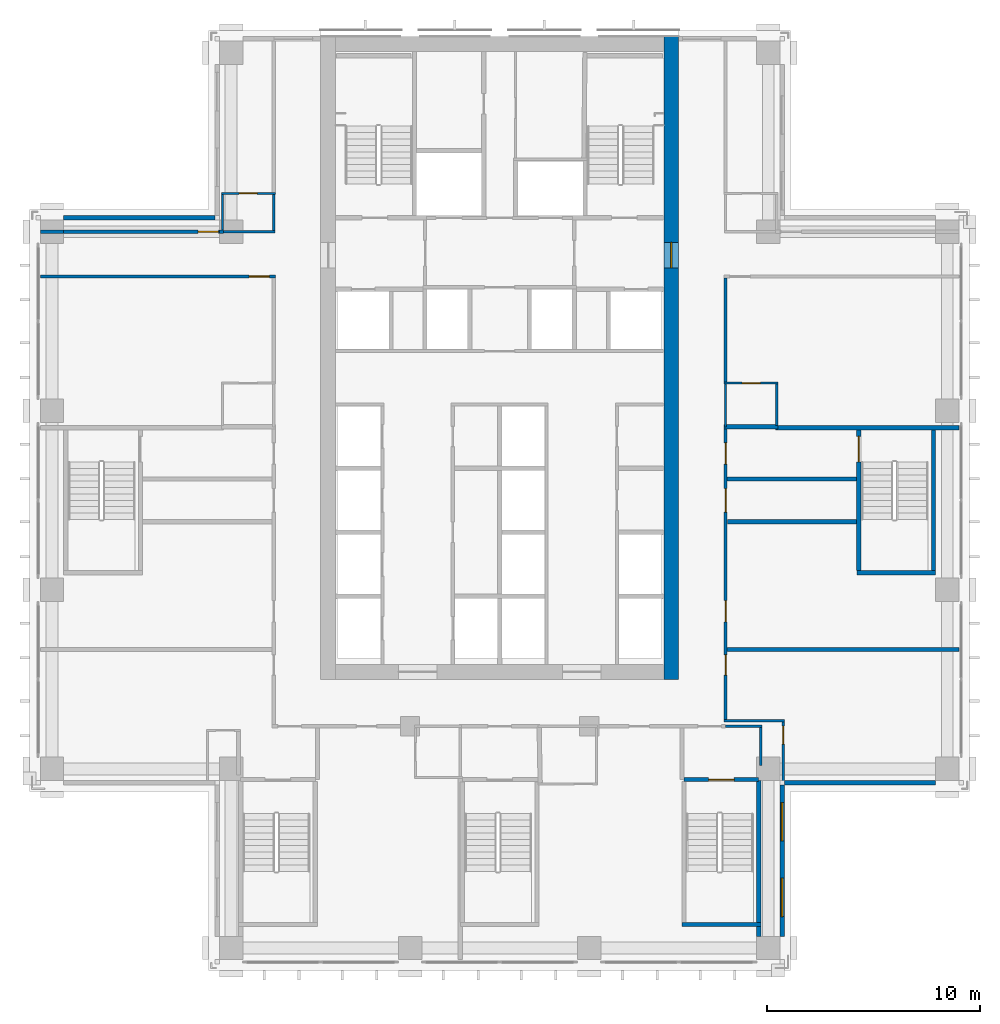
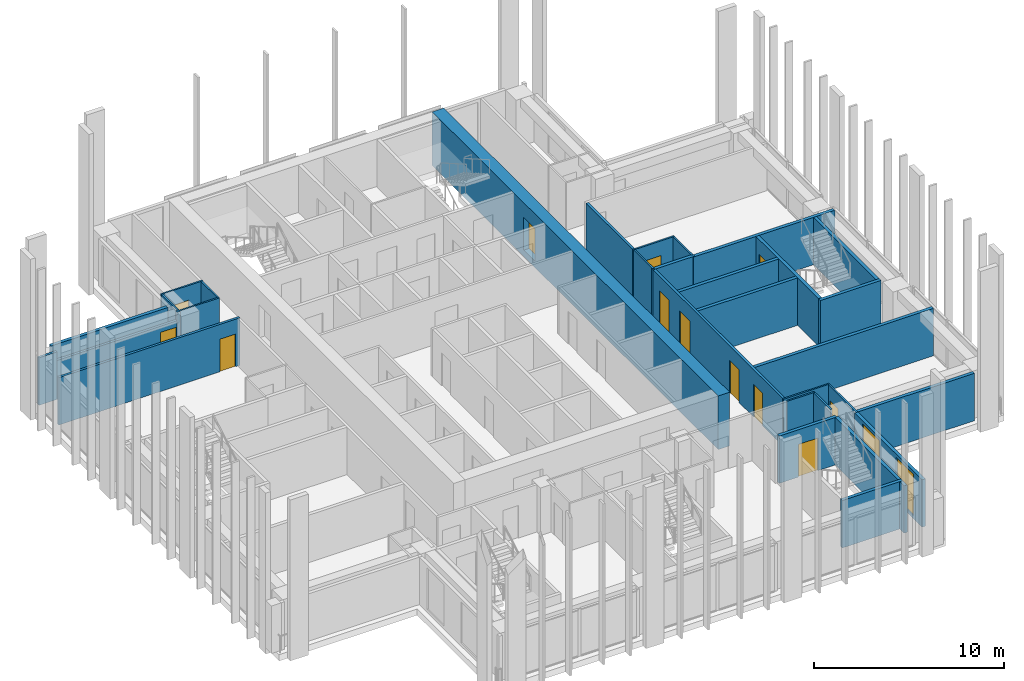
# One storey, part 11 of 16: 32 walls, 12 doors, 2 windows, 14 openings.
"""IFC4 building model written with IfcOpenShell, lengths in metres."""

import ifcopenshell
import ifcopenshell.guid

model = None  # the IFC model being written
_history = None  # IfcOwnerHistory: only IFC2X3 demands one
_inside = {}  # id of a spatial element -> (the spatial element, [elements in it])
_under = {}  # id of a project, library or spatial element -> (it, [spatial elements below it])
_declared = {}  # id of a project -> (the project, [libraries it declares])
_typed = {}  # id of a type object -> (the type object, [elements of that type])
_made_of = {}  # id of a material, layer set ... -> (it, [elements and type objects made of it])


def new_model(schema):
    """Start an empty IFC model of exactly this schema.

    Asked for "IFC4X3", IfcOpenShell would pick the latest addendum, in which some entities
    have other attributes; the version numbers below select the first issue.
    IFC2X3 requires an IfcOwnerHistory on every rooted entity: one is made here for all.
    """
    global model, _history
    if schema == "IFC4X3":
        model = ifcopenshell.file(schema_version=(4, 3, 0, 0))
    else:
        model = ifcopenshell.file(schema=schema)
    _inside.clear()
    _under.clear()
    _declared.clear()
    _typed.clear()
    _made_of.clear()
    _history = None
    if model.schema == "IFC2X3":
        org = make("IfcOrganization", Name="unknown")
        user = make(
            "IfcPersonAndOrganization",
            ThePerson=make("IfcPerson", FamilyName="unknown"),
            TheOrganization=org,
        )
        app = make(
            "IfcApplication",
            ApplicationDeveloper=org,
            Version="unknown",
            ApplicationFullName="unknown",
            ApplicationIdentifier="unknown",
        )
        _history = make(
            "IfcOwnerHistory",
            OwningUser=user,
            OwningApplication=app,
            ChangeAction="ADDED",
            CreationDate=0,
        )
    return model


def make(cls, **values):
    """One entity of the class cls with the attributes given. An attribute that is None is left unset."""
    return model.create_entity(
        cls, **{name: value for name, value in values.items() if value is not None}
    )


def rooted(cls, **values):
    """An entity with a GlobalId (a new one), such as an element, a storey or a relation."""
    return make(cls, GlobalId=ifcopenshell.guid.new(), OwnerHistory=_history, **values)


def si_unit(unit_type, name, prefix=None):
    """IfcSIUnit, for example si_unit("LENGTHUNIT", "METRE", prefix="MILLI")."""
    return make("IfcSIUnit", UnitType=unit_type, Prefix=prefix, Name=name)


def assignment(units):
    """IfcUnitAssignment: the units of a project."""
    return None if units is None else make("IfcUnitAssignment", Units=units)


def point(xyz):
    """IfcCartesianPoint."""
    return None if xyz is None else make("IfcCartesianPoint", Coordinates=xyz)


def direction(xyz):
    """IfcDirection."""
    return None if xyz is None else make("IfcDirection", DirectionRatios=xyz)


def frame(location, z_axis=None, x_axis=None):
    """IfcAxis2Placement3D, a coordinate frame: its origin and axes. An axis left out is left unset."""
    return make(
        "IfcAxis2Placement3D",
        Location=point(location),
        Axis=direction(z_axis),
        RefDirection=direction(x_axis),
    )


def frame_2d(location, x_axis=None):
    """IfcAxis2Placement2D, a coordinate frame in the plane: its origin and x axis."""
    return make(
        "IfcAxis2Placement2D", Location=point(location), RefDirection=direction(x_axis)
    )


def origin():
    """The frame at (0, 0, 0) with its axes left unset."""
    return frame((0.0, 0.0, 0.0))


def place(relative_to, where):
    """IfcLocalPlacement: puts the frame where relative to a parent placement (None: the world)."""
    return make(
        "IfcLocalPlacement", PlacementRelTo=relative_to, RelativePlacement=where
    )


def context(
    kind, dimensions, precision=None, world=None, true_north=None, identifier=None
):
    """IfcGeometricRepresentationContext, for example the 3D "Model" context."""
    return make(
        "IfcGeometricRepresentationContext",
        ContextIdentifier=identifier,
        ContextType=kind,
        CoordinateSpaceDimension=dimensions,
        Precision=precision,
        WorldCoordinateSystem=world,
        TrueNorth=true_north,
    )


def subcontext(parent, identifier, kind, view, scale=None):
    """IfcGeometricRepresentationSubContext, for example "Body" below "Model"."""
    return make(
        "IfcGeometricRepresentationSubContext",
        ContextIdentifier=identifier,
        ContextType=kind,
        ParentContext=parent,
        TargetScale=scale,
        TargetView=view,
    )


def project(units=None, contexts=None):
    """IfcProject with its units and contexts."""
    return rooted(
        "IfcProject",
        Name="project",
        RepresentationContexts=contexts,
        UnitsInContext=assignment(units),
    )


def spatial(cls, under=None, at=None, **own):
    """A site, building, storey or space (cls), placed at a placement, below another one or the project."""
    s = rooted(cls, ObjectPlacement=at, **own)
    if under is not None:
        _under.setdefault(under.id(), (under, []))[1].append(s)
    return s


def profile(cls, at=None, kind="AREA", **sizes):
    """A parametric profile (cls). Its sizes go by their IFC names, for example OverallWidth=200.0."""
    return make(cls, ProfileType=kind, Position=at, **sizes)


def rectangle(**sizes):
    """IfcRectangleProfileDef."""
    return profile("IfcRectangleProfileDef", **sizes)


def extrude(swept, where, along, depth):
    """IfcExtrudedAreaSolid: the profile swept, set in the frame where, extruded along a direction by depth."""
    return make(
        "IfcExtrudedAreaSolid",
        SweptArea=swept,
        Position=where,
        ExtrudedDirection=direction(along),
        Depth=depth,
    )


def shape(context_of_items, identifier, shape_type, items):
    """IfcShapeRepresentation: the items that make up one representation, for example the "Body"."""
    return make(
        "IfcShapeRepresentation",
        ContextOfItems=context_of_items,
        RepresentationIdentifier=identifier,
        RepresentationType=shape_type,
        Items=items,
    )


def material(Name=None, Category=None):
    """IfcMaterial."""
    return make("IfcMaterial", Name=Name, Category=Category)


def layer(
    of_material, thickness, ventilated=None, Name=None, Category=None, Priority=None
):
    """IfcMaterialLayer: one layer of a wall or slab, of a material (None: an air gap)."""
    return make(
        "IfcMaterialLayer",
        Material=of_material,
        LayerThickness=thickness,
        IsVentilated=ventilated,
        Name=Name,
        Category=Category,
        Priority=Priority,
    )


def layer_set(layers, Name=None):
    """IfcMaterialLayerSet."""
    return make("IfcMaterialLayerSet", MaterialLayers=layers, LayerSetName=Name)


def made_of(thing, what):
    """Note that an element or type object is made of a material, layer set ...; save() writes the relation."""
    if what is not None:
        _made_of.setdefault(what.id(), (what, []))[1].append(thing)
    return thing


def type_object(cls, material=None, **own):
    """A type object (cls), such as IfcWallType, which elements share."""
    return made_of(rooted(cls, **own), material)


def element(
    cls,
    number,
    at=None,
    inside=None,
    cuts=None,
    type_object=None,
    material=None,
    context=None,
    identifier="Body",
    shape_type=None,
    held_by="IfcProductDefinitionShape",
    body=None,
    shapes=None,
    **own,
):
    """One element of the class cls, such as IfcWall. Its Tag is "e" and its number.

    at: its placement. inside: the storey or other place that contains it. cuts: it is an
    opening in that element (IfcRelVoidsElement). A single representation is given by context,
    identifier, shape_type and body (its items); several are given by shapes. held_by: the class
    of the entity that holds the representations. save() writes the other relations.
    """
    e = rooted(cls, Tag="e%d" % number, ObjectPlacement=at, **own)
    if body is not None:
        shapes = [shape(context, identifier, shape_type, body)]
    if shapes is not None:
        e.Representation = make(held_by, Representations=shapes)
    if inside is not None:
        _inside.setdefault(inside.id(), (inside, []))[1].append(e)
    if cuts is not None:
        rooted(
            "IfcRelVoidsElement", RelatingBuildingElement=cuts, RelatedOpeningElement=e
        )
    if type_object is not None:
        _typed.setdefault(type_object.id(), (type_object, []))[1].append(e)
    return made_of(e, material)


def fill(opening, filler):
    """IfcRelFillsElement: the door or window that sits in an opening."""
    return rooted(
        "IfcRelFillsElement",
        RelatingOpeningElement=opening,
        RelatedBuildingElement=filler,
    )


def aggregate(whole, parts):
    """IfcRelAggregates: a whole, such as a stair, and the parts it consists of."""
    return rooted("IfcRelAggregates", RelatingObject=whole, RelatedObjects=parts)


def save(model, path):
    """Write the relations noted so far, then the file.

    IfcRelAggregates (storeys below a building ...), IfcRelContainedInSpatialStructure (elements
    in a storey), IfcRelDefinesByType, IfcRelAssociatesMaterial and IfcRelDeclares: one each for
    every whole, place, type object, material and project.
    """
    for whole, parts in _under.values():
        aggregate(whole, parts)
    for where, things in _inside.values():
        rooted(
            "IfcRelContainedInSpatialStructure",
            RelatedElements=things,
            RelatingStructure=where,
        )
    for kind, things in _typed.values():
        rooted("IfcRelDefinesByType", RelatedObjects=things, RelatingType=kind)
    for what, things in _made_of.values():
        rooted("IfcRelAssociatesMaterial", RelatedObjects=things, RelatingMaterial=what)
    for by, libraries in _declared.values():
        rooted("IfcRelDeclares", RelatingContext=by, RelatedDefinitions=libraries)
    model.write(path)


model = new_model("IFC4")

# Units and contexts
model_context = context("Model", 3, precision=1e-05, world=origin(), true_north=direction((0.0, 1.0)))
body_context = subcontext(model_context, "Body", "Model", "MODEL_VIEW")
ifc_project = project(units=[si_unit("LENGTHUNIT", "METRE"), si_unit("AREAUNIT", "SQUARE_METRE"), si_unit("VOLUMEUNIT", "CUBIC_METRE"), si_unit("PLANEANGLEUNIT", "RADIAN"), si_unit("MASSUNIT", "GRAM", prefix="KILO")], contexts=[model_context])

# Site, building, storey
site_placement = place(None, origin())
site = spatial("IfcSite", under=ifc_project, at=site_placement, CompositionType="ELEMENT")
building_placement = place(site_placement, origin())
building = spatial("IfcBuilding", under=site, at=building_placement, Name="Vermilion Ogive Tower", CompositionType="ELEMENT")
storey_placement = place(building_placement, frame((0.0, 0.0, 133.10009765625)))
storey = spatial("IfcBuildingStorey", under=building, at=storey_placement, Name="L33", CompositionType="ELEMENT", Elevation=133.10009765625)

# Walls
ifc_material_1 = material(Name="Gypsum board partition on steel studs", Category="steel")
ifc_layer_1 = layer(ifc_material_1, 0.10009765625)
ifc_layer_set_1 = layer_set([ifc_layer_1], Name="Partition 100 bath")
wall_type_1 = type_object("IfcWallType", Name="Partition 100 bath", PredefinedType="PARTITIONING", material=ifc_layer_set_1)
wall_1_placement = place(storey_placement, frame((10.60009765625, -10.60009765625, 0.0), z_axis=(0.0, 0.0, 1.0), x_axis=(1.0, 0.0, 0.0)))
element("IfcWall", 1, at=wall_1_placement, inside=storey, type_object=wall_type_1, Name="L33-W-W013", PredefinedType="PARTITIONING", context=body_context, shape_type="SweptSolid", body=[
    extrude(rectangle(XDim=1.699951171875, YDim=0.10009765625, at=frame_2d((0.85009765625, 0.0))), origin(), (0.0, 0.0, 1.0), 3.0498046875),
])
wall_2_placement = place(storey_placement, frame((10.52490234375, -10.340087890625, 0.0), z_axis=(0.0, 0.0, 1.0), x_axis=(1.0, 0.0, 0.0)))
element("IfcWall", 2, at=wall_2_placement, inside=storey, type_object=wall_type_1, Name="L33-W-W014", PredefinedType="PARTITIONING", context=body_context, shape_type="SweptSolid", body=[
    extrude(rectangle(XDim=2.8251953125, YDim=0.10009765625, at=frame_2d((1.41259765625, 0.0))), origin(), (0.0, 0.0, 1.0), 3.0498046875),
])

# Wall, opening, door
wall_3_placement = place(storey_placement, frame((10.52490234375, 5.5, 0.0), z_axis=(0.0, 0.0, 1.0), x_axis=(1.0, 0.0, 0.0)))
wall_3 = element("IfcWall", 3, at=wall_3_placement, inside=storey, type_object=wall_type_1, Name="L33-W-W028", PredefinedType="PARTITIONING", context=body_context, shape_type="SweptSolid", body=[
    extrude(rectangle(XDim=2.525146484375, YDim=0.10009765625, at=frame_2d((1.2626953125, 0.0))), origin(), (0.0, 0.0, 1.0), 3.0498046875),
])
opening_1_placement = place(wall_3_placement, frame((0.85009765625, 0.0, 0.0)))
opening_1 = element("IfcOpeningElement", 4, at=opening_1_placement, cuts=wall_3, Name="Opening D3G1014", PredefinedType="OPENING", context=body_context, shape_type="SweptSolid", body=[
    extrude(rectangle(XDim=0.85009765625, YDim=2.10009765625, at=frame_2d((0.425048828125, 1.050048828125))), frame((0.0, 0.06005859375, 0.0), z_axis=(0.0, -1.0, 0.0), x_axis=(1.0, 0.0, 0.0)), (0.0, 0.0, 1.0), 0.1201171875),
])
ifc_material_2 = material(Name="Timber door leaf", Category="wood")
door_type_1 = type_object("IfcDoorType", Name="Bath door 850 x 2100 FD30", OperationType="SINGLE_SWING_LEFT", PredefinedType="DOOR", material=ifc_material_2)
door_1_placement = place(opening_1_placement, origin())
door_1 = element("IfcDoor", 5, at=door_1_placement, inside=storey, type_object=door_type_1, Name="L33-D-D014", OperationType="SINGLE_SWING_RIGHT", OverallHeight=2.10009765625, OverallWidth=0.85009765625, PredefinedType="DOOR", context=body_context, shape_type="SweptSolid", body=[
    extrude(rectangle(XDim=0.85009765625, YDim=2.10009765625, at=frame_2d((0.425048828125, 1.050048828125))), frame((0.0, 0.02490234375, 0.0), z_axis=(0.0, -1.0, 0.0), x_axis=(1.0, 0.0, 0.0)), (0.0, 0.0, 1.0), 0.050048828125),
])
fill(opening_1, door_1)

# Wall
wall_4_placement = place(storey_placement, frame((-13.050048828125, 12.60009765625, 0.0), z_axis=(0.0, 0.0, 1.0), x_axis=(1.0, 0.0, 0.0)))
element("IfcWall", 6, at=wall_4_placement, inside=storey, type_object=wall_type_1, Name="L33-W-W032", PredefinedType="PARTITIONING", context=body_context, shape_type="SweptSolid", body=[
    extrude(rectangle(XDim=2.5, YDim=0.10009765625, at=frame_2d((1.25, 0.0))), origin(), (0.0, 0.0, 1.0), 3.0498046875),
])

# Wall, opening, door
wall_5_placement = place(storey_placement, frame((-13.050048828125, 14.39990234375, 0.0), z_axis=(0.0, 0.0, 1.0), x_axis=(1.0, 0.0, 0.0)))
wall_5 = element("IfcWall", 7, at=wall_5_placement, inside=storey, type_object=wall_type_1, Name="L33-W-W035", PredefinedType="PARTITIONING", context=body_context, shape_type="SweptSolid", body=[
    extrude(rectangle(XDim=2.525146484375, YDim=0.10009765625, at=frame_2d((1.2626953125, 0.0))), origin(), (0.0, 0.0, 1.0), 3.0498046875),
])
opening_2_placement = place(wall_5_placement, frame((0.824951171875, 0.0, 0.0)))
opening_2 = element("IfcOpeningElement", 8, at=opening_2_placement, cuts=wall_5, Name="Opening D3G1006", PredefinedType="OPENING", context=body_context, shape_type="SweptSolid", body=[
    extrude(rectangle(XDim=0.85009765625, YDim=2.10009765625, at=frame_2d((0.425048828125, 1.050048828125))), frame((0.0, 0.06005859375, 0.0), z_axis=(0.0, -1.0, 0.0), x_axis=(1.0, 0.0, 0.0)), (0.0, 0.0, 1.0), 0.1201171875),
])
door_2_placement = place(opening_2_placement, origin())
door_2 = element("IfcDoor", 9, at=door_2_placement, inside=storey, type_object=door_type_1, Name="L33-D-D006", OperationType="SINGLE_SWING_RIGHT", OverallHeight=2.10009765625, OverallWidth=0.85009765625, PredefinedType="DOOR", context=body_context, shape_type="SweptSolid", body=[
    extrude(rectangle(XDim=0.85009765625, YDim=2.10009765625, at=frame_2d((0.425048828125, 1.050048828125))), frame((0.0, 0.02490234375, 0.0), z_axis=(0.0, -1.0, 0.0), x_axis=(1.0, 0.0, 0.0)), (0.0, 0.0, 1.0), 0.050048828125),
])
fill(opening_2, door_2)

# Walls
wall_6_placement = place(storey_placement, frame((-13.0, 12.675048828125, 0.0), z_axis=(0.0, 0.0, 1.0), x_axis=(0.0, 1.0, 0.0)))
element("IfcWall", 10, at=wall_6_placement, inside=storey, type_object=wall_type_1, Name="L33-W-W041", PredefinedType="PARTITIONING", context=body_context, shape_type="SweptSolid", body=[
    extrude(rectangle(XDim=1.675048828125, YDim=0.10009765625, at=frame_2d((0.83740234375, 0.0))), origin(), (0.0, 0.0, 1.0), 3.0498046875),
])
wall_7_placement = place(storey_placement, frame((-10.60009765625, 12.64990234375, 0.0), z_axis=(0.0, 0.0, 1.0), x_axis=(0.0, 1.0, 0.0)))
element("IfcWall", 11, at=wall_7_placement, inside=storey, type_object=wall_type_1, Name="L33-W-W047", PredefinedType="PARTITIONING", context=body_context, shape_type="SweptSolid", body=[
    extrude(rectangle(XDim=1.7001953125, YDim=0.10009765625, at=frame_2d((0.85009765625, 0.0))), origin(), (0.0, 0.0, 1.0), 3.0498046875),
])
wall_8_placement = place(storey_placement, frame((10.60009765625, 3.449951171875, 0.0), z_axis=(0.0, 0.0, 1.0), x_axis=(0.0, 1.0, 0.0)))
element("IfcWall", 12, at=wall_8_placement, inside=storey, type_object=wall_type_1, Name="L33-W-W059", PredefinedType="PARTITIONING", context=body_context, shape_type="SweptSolid", body=[
    extrude(rectangle(XDim=2.0, YDim=0.10009765625, at=frame_2d((1.0, 0.0))), origin(), (0.0, 0.0, 1.0), 3.0498046875),
])
wall_9_placement = place(storey_placement, frame((12.25, -12.43994140625, 0.0), z_axis=(0.0, 0.0, 1.0), x_axis=(0.0, 1.0, 0.0)))
element("IfcWall", 13, at=wall_9_placement, inside=storey, type_object=wall_type_1, Name="L33-W-W063", PredefinedType="PARTITIONING", context=body_context, shape_type="SweptSolid", body=[
    extrude(rectangle(XDim=1.7900390625, YDim=0.10009765625, at=frame_2d((0.89501953125, 0.0))), origin(), (0.0, 0.0, 1.0), 3.0498046875),
])
wall_10_placement = place(storey_placement, frame((13.0, 3.5, 0.0), z_axis=(0.0, 0.0, 1.0), x_axis=(0.0, 1.0, 0.0)))
element("IfcWall", 14, at=wall_10_placement, inside=storey, type_object=wall_type_1, Name="L33-W-W064", PredefinedType="PARTITIONING", context=body_context, shape_type="SweptSolid", body=[
    extrude(rectangle(XDim=1.949951171875, YDim=0.10009765625, at=frame_2d((0.97509765625, 0.0))), origin(), (0.0, 0.0, 1.0), 3.0498046875),
])

# Wall, opening, door
wall_11_placement = place(storey_placement, frame((13.300048828125, -13.35009765625, 0.0), z_axis=(0.0, 0.0, 1.0), x_axis=(0.0, 1.0, 0.0)))
wall_11 = element("IfcWall", 15, at=wall_11_placement, inside=storey, type_object=wall_type_1, Name="L33-W-W066", PredefinedType="PARTITIONING", context=body_context, shape_type="SweptSolid", body=[
    extrude(rectangle(XDim=2.960205078125, YDim=0.10009765625, at=frame_2d((1.47998046875, 0.0))), origin(), (0.0, 0.0, 1.0), 3.0498046875),
])
opening_3_placement = place(wall_11_placement, frame((1.91015625, 0.0, 0.0)))
opening_3 = element("IfcOpeningElement", 16, at=opening_3_placement, cuts=wall_11, Name="Opening D3G1012", PredefinedType="OPENING", context=body_context, shape_type="SweptSolid", body=[
    extrude(rectangle(XDim=0.85009765625, YDim=2.10009765625, at=frame_2d((0.425048828125, 1.050048828125))), frame((0.0, 0.06005859375, 0.0), z_axis=(0.0, -1.0, 0.0), x_axis=(1.0, 0.0, 0.0)), (0.0, 0.0, 1.0), 0.1201171875),
])
door_3_placement = place(opening_3_placement, origin())
door_3 = element("IfcDoor", 17, at=door_3_placement, inside=storey, type_object=door_type_1, Name="L33-D-D012", OperationType="SINGLE_SWING_LEFT", OverallHeight=2.10009765625, OverallWidth=0.85009765625, PredefinedType="DOOR", context=body_context, shape_type="SweptSolid", body=[
    extrude(rectangle(XDim=0.85009765625, YDim=2.10009765625, at=frame_2d((0.425048828125, 1.050048828125))), frame((0.0, 0.02490234375, 0.0), z_axis=(0.0, -1.0, 0.0), x_axis=(1.0, 0.0, 0.0)), (0.0, 0.0, 1.0), 0.050048828125),
])
fill(opening_3, door_3)

ifc_material_3 = material(Name="Gypsum board partition on steel studs", Category="steel")
ifc_layer_2 = layer(ifc_material_3, 0.14990234375)
ifc_layer_set_2 = layer_set([ifc_layer_2], Name="Partition 150 corridor")
wall_type_2 = type_object("IfcWallType", Name="Partition 150 corridor", PredefinedType="PARTITIONING", material=ifc_layer_set_2)
wall_12_placement = place(storey_placement, frame((-21.550048828125, 10.5, 0.0), z_axis=(0.0, 0.0, 1.0), x_axis=(1.0, 0.0, 0.0)))
wall_12 = element("IfcWall", 18, at=wall_12_placement, inside=storey, type_object=wall_type_2, Name="L33-W-W029", PredefinedType="PARTITIONING", context=body_context, shape_type="SweptSolid", body=[
    extrude(rectangle(XDim=11.025146484375, YDim=0.14990234375, at=frame_2d((5.5126953125, 0.0))), origin(), (0.0, 0.0, 1.0), 3.0498046875),
])
opening_4_placement = place(wall_12_placement, frame((9.800048828125, 0.0, 0.0)))
opening_4 = element("IfcOpeningElement", 19, at=opening_4_placement, cuts=wall_12, Name="Opening D3G1003", PredefinedType="OPENING", context=body_context, shape_type="SweptSolid", body=[
    extrude(rectangle(XDim=0.949951171875, YDim=2.10009765625, at=frame_2d((0.47509765625, 1.050048828125))), frame((0.0, 0.0849609375, 0.0), z_axis=(0.0, -1.0, 0.0), x_axis=(1.0, 0.0, 0.0)), (0.0, 0.0, 1.0), 0.169921875),
])
ifc_material_4 = material(Name="Timber door leaf", Category="wood")
door_type_2 = type_object("IfcDoorType", Name="Unit door 950 x 2100 FD30S", OperationType="SINGLE_SWING_LEFT", PredefinedType="DOOR", material=ifc_material_4)
door_4_placement = place(opening_4_placement, origin())
door_4 = element("IfcDoor", 20, at=door_4_placement, inside=storey, type_object=door_type_2, Name="L33-D-D003", OperationType="SINGLE_SWING_RIGHT", OverallHeight=2.10009765625, OverallWidth=0.949951171875, PredefinedType="DOOR", context=body_context, shape_type="SweptSolid", body=[
    extrude(rectangle(XDim=0.949951171875, YDim=2.10009765625, at=frame_2d((0.47509765625, 1.050048828125))), frame((0.0, 0.02490234375, 0.0), z_axis=(0.0, -1.0, 0.0), x_axis=(1.0, 0.0, 0.0)), (0.0, 0.0, 1.0), 0.050048828125),
])
fill(opening_4, door_4)

# Wall
wall_13_placement = place(storey_placement, frame((-21.550048828125, 12.60009765625, 0.0), z_axis=(0.0, 0.0, 1.0), x_axis=(1.0, 0.0, 0.0)))
element("IfcWall", 21, at=wall_13_placement, inside=storey, type_object=wall_type_2, Name="L33-W-W031", PredefinedType="PARTITIONING", context=body_context, shape_type="SweptSolid", body=[
    extrude(rectangle(XDim=1.10009765625, YDim=0.14990234375, at=frame_2d((0.550048828125, 0.0))), origin(), (0.0, 0.0, 1.0), 3.0498046875),
])

# Wall, openings, doors
wall_14_placement = place(storey_placement, frame((10.60009765625, -10.2900390625, 0.0), z_axis=(0.0, 0.0, 1.0), x_axis=(0.0, 1.0, 0.0)))
wall_14 = element("IfcWall", 22, at=wall_14_placement, inside=storey, type_object=wall_type_2, Name="L33-W-W058", PredefinedType="PARTITIONING", context=body_context, shape_type="SweptSolid", body=[
    extrude(rectangle(XDim=13.64013671875, YDim=0.14990234375, at=frame_2d((6.820068359375, 0.0))), origin(), (0.0, 0.0, 1.0), 3.0498046875),
])
opening_5_placement = place(wall_14_placement, frame((2.090087890625, 0.0, 0.0)))
opening_5 = element("IfcOpeningElement", 23, at=opening_5_placement, cuts=wall_14, Name="Opening D3G1011", PredefinedType="OPENING", context=body_context, shape_type="SweptSolid", body=[
    extrude(rectangle(XDim=0.949951171875, YDim=2.10009765625, at=frame_2d((0.47509765625, 1.050048828125))), frame((0.0, 0.0849609375, 0.0), z_axis=(0.0, -1.0, 0.0), x_axis=(1.0, 0.0, 0.0)), (0.0, 0.0, 1.0), 0.169921875),
])
opening_6_placement = place(wall_14_placement, frame((9.739990234375, 0.0, 0.0)))
opening_6 = element("IfcOpeningElement", 24, at=opening_6_placement, cuts=wall_14, Name="Opening D3G1023", PredefinedType="OPENING", context=body_context, shape_type="SweptSolid", body=[
    extrude(rectangle(XDim=1.10009765625, YDim=2.10009765625, at=frame_2d((0.550048828125, 1.050048828125))), frame((0.0, 0.0849609375, 0.0), z_axis=(0.0, -1.0, 0.0), x_axis=(1.0, 0.0, 0.0)), (0.0, 0.0, 1.0), 0.169921875),
])
opening_7_placement = place(wall_14_placement, frame((4.590087890625, 0.0, 0.0)))
opening_7 = element("IfcOpeningElement", 25, at=opening_7_placement, cuts=wall_14, Name="Opening D3G1028", PredefinedType="OPENING", context=body_context, shape_type="SweptSolid", body=[
    extrude(rectangle(XDim=1.0, YDim=2.10009765625, at=frame_2d((0.5, 1.050048828125))), frame((0.0, 0.0849609375, 0.0), z_axis=(0.0, -1.0, 0.0), x_axis=(1.0, 0.0, 0.0)), (0.0, 0.0, 1.0), 0.169921875),
])
opening_8_placement = place(wall_14_placement, frame((11.989990234375, 0.0, 0.0)))
opening_8 = element("IfcOpeningElement", 26, at=opening_8_placement, cuts=wall_14, Name="Opening D3G1030", PredefinedType="OPENING", context=body_context, shape_type="SweptSolid", body=[
    extrude(rectangle(XDim=1.0, YDim=2.10009765625, at=frame_2d((0.5, 1.050048828125))), frame((0.0, 0.0849609375, 0.0), z_axis=(0.0, -1.0, 0.0), x_axis=(1.0, 0.0, 0.0)), (0.0, 0.0, 1.0), 0.169921875),
])
ifc_material_5 = material(Name="Timber door leaf", Category="wood")
door_type_3 = type_object("IfcDoorType", Name="Stair door 1100 x 2100 FD60S", OperationType="SINGLE_SWING_LEFT", PredefinedType="DOOR", material=ifc_material_5)
door_5_placement = place(opening_6_placement, origin())
door_5 = element("IfcDoor", 27, at=door_5_placement, inside=storey, type_object=door_type_3, Name="L33-D-D023", OperationType="SINGLE_SWING_LEFT", OverallHeight=2.10009765625, OverallWidth=1.10009765625, PredefinedType="DOOR", context=body_context, shape_type="SweptSolid", body=[
    extrude(rectangle(XDim=1.10009765625, YDim=2.10009765625, at=frame_2d((0.550048828125, 1.050048828125))), frame((0.0, 0.02490234375, 0.0), z_axis=(0.0, -1.0, 0.0), x_axis=(1.0, 0.0, 0.0)), (0.0, 0.0, 1.0), 0.050048828125),
])
fill(opening_6, door_5)
ifc_material_6 = material(Name="Timber door leaf", Category="wood")
door_type_4 = type_object("IfcDoorType", Name="Unit door 1000 x 2100 FD30S", OperationType="SINGLE_SWING_LEFT", PredefinedType="DOOR", material=ifc_material_6)
door_6_placement = place(opening_7_placement, origin())
door_6 = element("IfcDoor", 28, at=door_6_placement, inside=storey, type_object=door_type_4, Name="L33-D-D028", OperationType="SINGLE_SWING_RIGHT", OverallHeight=2.10009765625, OverallWidth=1.0, PredefinedType="DOOR", context=body_context, shape_type="SweptSolid", body=[
    extrude(rectangle(XDim=1.0, YDim=2.10009765625, at=frame_2d((0.5, 1.050048828125))), frame((0.0, 0.02490234375, 0.0), z_axis=(0.0, -1.0, 0.0), x_axis=(1.0, 0.0, 0.0)), (0.0, 0.0, 1.0), 0.050048828125),
])
fill(opening_7, door_6)
door_7_placement = place(opening_8_placement, origin())
door_7 = element("IfcDoor", 29, at=door_7_placement, inside=storey, type_object=door_type_4, Name="L33-D-D030", OperationType="SINGLE_SWING_LEFT", OverallHeight=2.10009765625, OverallWidth=1.0, PredefinedType="DOOR", context=body_context, shape_type="SweptSolid", body=[
    extrude(rectangle(XDim=1.0, YDim=2.10009765625, at=frame_2d((0.5, 1.050048828125))), frame((0.0, 0.02490234375, 0.0), z_axis=(0.0, -1.0, 0.0), x_axis=(1.0, 0.0, 0.0)), (0.0, 0.0, 1.0), 0.050048828125),
])
fill(opening_8, door_7)
door_8_placement = place(opening_5_placement, origin())
door_8 = element("IfcDoor", 30, at=door_8_placement, inside=storey, type_object=door_type_2, Name="L33-D-D011", OperationType="SINGLE_SWING_LEFT", OverallHeight=2.10009765625, OverallWidth=0.949951171875, PredefinedType="DOOR", context=body_context, shape_type="SweptSolid", body=[
    extrude(rectangle(XDim=0.949951171875, YDim=2.10009765625, at=frame_2d((0.47509765625, 1.050048828125))), frame((0.0, 0.02490234375, 0.0), z_axis=(0.0, -1.0, 0.0), x_axis=(1.0, 0.0, 0.0)), (0.0, 0.0, 1.0), 0.050048828125),
])
fill(opening_5, door_8)

# Wall
wall_15_placement = place(storey_placement, frame((10.60009765625, 5.550048828125, 0.0), z_axis=(0.0, 0.0, 1.0), x_axis=(0.0, 1.0, 0.0)))
element("IfcWall", 31, at=wall_15_placement, inside=storey, type_object=wall_type_2, Name="L33-W-W060", PredefinedType="PARTITIONING", context=body_context, shape_type="SweptSolid", body=[
    extrude(rectangle(XDim=4.875, YDim=0.14990234375, at=frame_2d((2.4375, 0.0))), origin(), (0.0, 0.0, 1.0), 3.0498046875),
])

# Wall, opening, door
wall_16_placement = place(storey_placement, frame((-20.449951171875, 12.60009765625, 0.0), z_axis=(0.0, 0.0, 1.0), x_axis=(1.0, 0.0, 0.0)))
wall_16 = element("IfcWall", 32, at=wall_16_placement, inside=storey, type_object=wall_type_2, Name="L33-W-W031-h1", PredefinedType="PARTITIONING", context=body_context, shape_type="SweptSolid", body=[
    extrude(rectangle(XDim=7.300048828125, YDim=0.14990234375, at=frame_2d((3.64990234375, 0.0))), origin(), (0.0, 0.0, 1.0), 2.5),
])
opening_9_placement = place(wall_16_placement, frame((6.300048828125, 0.0, 0.0)))
opening_9 = element("IfcOpeningElement", 33, at=opening_9_placement, cuts=wall_16, Name="Opening D3G1005", PredefinedType="OPENING", context=body_context, shape_type="SweptSolid", body=[
    extrude(rectangle(XDim=0.949951171875, YDim=2.10009765625, at=frame_2d((0.47509765625, 1.050048828125))), frame((0.0, 0.0849609375, 0.0), z_axis=(0.0, -1.0, 0.0), x_axis=(1.0, 0.0, 0.0)), (0.0, 0.0, 1.0), 0.169921875),
])
door_9_placement = place(opening_9_placement, origin())
door_9 = element("IfcDoor", 34, at=door_9_placement, inside=storey, type_object=door_type_2, Name="L33-D-D005", OperationType="SINGLE_SWING_LEFT", OverallHeight=2.10009765625, OverallWidth=0.949951171875, PredefinedType="DOOR", context=body_context, shape_type="SweptSolid", body=[
    extrude(rectangle(XDim=0.949951171875, YDim=2.10009765625, at=frame_2d((0.47509765625, 1.050048828125))), frame((0.0, 0.02490234375, 0.0), z_axis=(0.0, -1.0, 0.0), x_axis=(1.0, 0.0, 0.0)), (0.0, 0.0, 1.0), 0.050048828125),
])
fill(opening_9, door_9)

# Walls
wall_17_placement = place(storey_placement, frame((-13.14990234375, 12.60009765625, 0.0), z_axis=(0.0, 0.0, 1.0), x_axis=(1.0, 0.0, 0.0)))
element("IfcWall", 35, at=wall_17_placement, inside=storey, type_object=wall_type_2, Name="L33-W-W031-h2", PredefinedType="PARTITIONING", context=body_context, shape_type="SweptSolid", body=[
    extrude(rectangle(XDim=0.199951171875, YDim=0.14990234375, at=frame_2d((0.10009765625, 0.0))), origin(), (0.0, 0.0, 1.0), 3.0498046875),
])
ifc_material_7 = material(Name="Gypsum board partition on steel studs", Category="steel")
ifc_layer_3 = layer(ifc_material_7, 0.199951171875)
ifc_layer_set_3 = layer_set([ifc_layer_3], Name="Partition 200 party")
wall_type_3 = type_object("IfcWallType", Name="Partition 200 party", PredefinedType="PARTITIONING", material=ifc_layer_set_3)
wall_18_placement = place(storey_placement, frame((10.675048828125, -7.0, 0.0), z_axis=(0.0, 0.0, 1.0), x_axis=(1.0, 0.0, 0.0)))
element("IfcWall", 36, at=wall_18_placement, inside=storey, type_object=wall_type_3, Name="L33-W-W016", PredefinedType="PARTITIONING", context=body_context, shape_type="SweptSolid", body=[
    extrude(rectangle(XDim=10.875, YDim=0.199951171875, at=frame_2d((5.4375, 0.0))), origin(), (0.0, 0.0, 1.0), 3.0498046875),
])
wall_19_placement = place(storey_placement, frame((10.677001953125, -1.0, 0.0), z_axis=(0.0, 0.0, 1.0), x_axis=(1.0, 0.0, 0.0)))
element("IfcWall", 37, at=wall_19_placement, inside=storey, type_object=wall_type_3, Name="L33-W-W020", PredefinedType="PARTITIONING", context=body_context, shape_type="SweptSolid", body=[
    extrude(rectangle(XDim=6.071044921875, YDim=0.199951171875, at=frame_2d((3.03564453125, 0.0))), origin(), (0.0, 0.0, 1.0), 3.0498046875),
])
wall_20_placement = place(storey_placement, frame((10.675048828125, 1.0, 0.0), z_axis=(0.0, 0.0, 1.0), x_axis=(1.0, 0.0, 0.0)))
element("IfcWall", 38, at=wall_20_placement, inside=storey, type_object=wall_type_3, Name="L33-W-W022", PredefinedType="PARTITIONING", context=body_context, shape_type="SweptSolid", body=[
    extrude(rectangle(XDim=6.074951171875, YDim=0.199951171875, at=frame_2d((3.03759765625, 0.0))), origin(), (0.0, 0.0, 1.0), 3.0498046875),
])

# Wall, opening, door
ifc_material_8 = material(Name="Concrete B60", Category="concrete")
ifc_layer_4 = layer(ifc_material_8, 0.199951171875)
ifc_layer_set_4 = layer_set([ifc_layer_4], Name="Stair shaft wall 200 Concrete B60")
wall_type_4 = type_object("IfcWallType", Name="Stair shaft wall 200 Concrete B60", PredefinedType="SOLIDWALL", material=ifc_layer_set_4)
wall_21_placement = place(storey_placement, frame((8.050048828125, -8.39990234375, -0.400146484375), z_axis=(0.0, 0.0, 1.0), x_axis=(0.0, 1.0, 0.0)))
wall_21 = element("IfcWall", 39, at=wall_21_placement, inside=storey, type_object=wall_type_4, Name="L33-CORE-E", PredefinedType="SOLIDWALL", context=body_context, shape_type="SweptSolid", body=[
    extrude(rectangle(XDim=30.14990234375, YDim=0.699951171875, at=frame_2d((15.074951171875, 0.0))), origin(), (0.0, 0.0, 1.0), 3.449951171875),
])
opening_10_placement = place(wall_21_placement, frame((19.300048828125, 0.0, 0.39990234375)))
opening_10 = element("IfcOpeningElement", 40, at=opening_10_placement, cuts=wall_21, Name="Opening DAL013", PredefinedType="OPENING", context=body_context, shape_type="SweptSolid", body=[
    extrude(rectangle(XDim=1.199951171875, YDim=2.10009765625, at=frame_2d((0.60009765625, 1.050048828125))), frame((0.0, 0.35986328125, 0.0), z_axis=(0.0, -1.0, 0.0), x_axis=(1.0, 0.0, 0.0)), (0.0, 0.0, 1.0), 0.719970703125),
])
ifc_material_9 = material(Name="Timber door leaf", Category="wood")
door_type_5 = type_object("IfcDoorType", Name="Link door 1200 x 2100 FD60S", OperationType="SINGLE_SWING_LEFT", PredefinedType="DOOR", material=ifc_material_9)
door_10_placement = place(opening_10_placement, origin())
door_10 = element("IfcDoor", 41, at=door_10_placement, inside=storey, type_object=door_type_5, Name="L33-CK-XD4", OperationType="SINGLE_SWING_LEFT", OverallHeight=2.10009765625, OverallWidth=1.199951171875, PredefinedType="DOOR", context=body_context, shape_type="SweptSolid", body=[
    extrude(rectangle(XDim=1.199951171875, YDim=2.10009765625, at=frame_2d((0.60009765625, 1.050048828125))), frame((0.0, 0.02490234375, 0.0), z_axis=(0.0, -1.0, 0.0), x_axis=(1.0, 0.0, 0.0)), (0.0, 0.0, 1.0), 0.050048828125),
])
fill(opening_10, door_10)

wall_22_placement = place(storey_placement, frame((8.64990234375, -13.10009765625, 0.0), z_axis=(0.0, 0.0, 1.0), x_axis=(1.0, 0.0, 0.0)))
wall_22 = element("IfcWall", 42, at=wall_22_placement, inside=storey, type_object=wall_type_4, Name="L33-W-W005", PredefinedType="SOLIDWALL", context=body_context, shape_type="SweptSolid", body=[
    extrude(rectangle(XDim=3.5, YDim=0.199951171875, at=frame_2d((1.75, 0.0))), origin(), (0.0, 0.0, 1.0), 3.0498046875),
])
opening_11_placement = place(wall_22_placement, frame((1.150146484375, 0.0, 0.0)))
opening_11 = element("IfcOpeningElement", 43, at=opening_11_placement, cuts=wall_22, Name="Opening D3G1022", PredefinedType="OPENING", context=body_context, shape_type="SweptSolid", body=[
    extrude(rectangle(XDim=1.199951171875, YDim=2.10009765625, at=frame_2d((0.60009765625, 1.050048828125))), frame((0.0, 0.10986328125, 0.0), z_axis=(0.0, -1.0, 0.0), x_axis=(1.0, 0.0, 0.0)), (0.0, 0.0, 1.0), 0.219970703125),
])
ifc_material_10 = material(Name="Timber door leaf", Category="wood")
door_type_6 = type_object("IfcDoorType", Name="Stair door 1200 x 2100 FD60S", OperationType="SINGLE_SWING_LEFT", PredefinedType="DOOR", material=ifc_material_10)
door_11_placement = place(opening_11_placement, origin())
door_11 = element("IfcDoor", 44, at=door_11_placement, inside=storey, type_object=door_type_6, Name="L33-D-D022", OperationType="SINGLE_SWING_RIGHT", OverallHeight=2.10009765625, OverallWidth=1.199951171875, PredefinedType="DOOR", context=body_context, shape_type="SweptSolid", body=[
    extrude(rectangle(XDim=1.199951171875, YDim=2.10009765625, at=frame_2d((0.60009765625, 1.050048828125))), frame((0.0, 0.02490234375, 0.0), z_axis=(0.0, -1.0, 0.0), x_axis=(1.0, 0.0, 0.0)), (0.0, 0.0, 1.0), 0.050048828125),
])
fill(opening_11, door_11)

# Walls
wall_23_placement = place(storey_placement, frame((16.751953125, -3.39990234375, 0.0), z_axis=(0.0, 0.0, 1.0), x_axis=(1.0, 0.0, 0.0)))
element("IfcWall", 45, at=wall_23_placement, inside=storey, type_object=wall_type_4, Name="L33-W-W018", PredefinedType="SOLIDWALL", context=body_context, shape_type="SweptSolid", body=[
    extrude(rectangle(XDim=3.696044921875, YDim=0.199951171875, at=frame_2d((1.84814453125, 0.0))), origin(), (0.0, 0.0, 1.0), 3.0498046875),
])
wall_24_placement = place(storey_placement, frame((10.52490234375, 3.449951171875, 0.0), z_axis=(0.0, 0.0, 1.0), x_axis=(1.0, 0.0, 0.0)))
element("IfcWall", 46, at=wall_24_placement, inside=storey, type_object=wall_type_4, Name="L33-W-W025", PredefinedType="SOLIDWALL", context=body_context, shape_type="SweptSolid", body=[
    extrude(rectangle(XDim=2.525146484375, YDim=0.199951171875, at=frame_2d((1.2626953125, 0.0))), origin(), (0.0, 0.0, 1.0), 3.0498046875),
])
wall_25_placement = place(storey_placement, frame((12.949951171875, 3.39990234375, 0.0), z_axis=(0.0, 0.0, 1.0), x_axis=(1.0, 0.0, 0.0)))
element("IfcWall", 47, at=wall_25_placement, inside=storey, type_object=wall_type_4, Name="L33-W-W026", PredefinedType="SOLIDWALL", context=body_context, shape_type="SweptSolid", body=[
    extrude(rectangle(XDim=8.60009765625, YDim=0.199951171875, at=frame_2d((4.300048828125, 0.0))), origin(), (0.0, 0.0, 1.0), 3.0498046875),
])

# Wall, opening, door
wall_26_placement = place(storey_placement, frame((16.85009765625, -3.298095703125, 0.0), z_axis=(0.0, 0.0, 1.0), x_axis=(0.0, 1.0, 0.0)))
wall_26 = element("IfcWall", 48, at=wall_26_placement, inside=storey, type_object=wall_type_4, Name="L33-W-W067", PredefinedType="SOLIDWALL", context=body_context, shape_type="SweptSolid", body=[
    extrude(rectangle(XDim=6.59814453125, YDim=0.199951171875, at=frame_2d((3.299072265625, 0.0))), origin(), (0.0, 0.0, 1.0), 3.0498046875),
])
opening_12_placement = place(wall_26_placement, frame((5.10009765625, 0.0, 0.0)))
opening_12 = element("IfcOpeningElement", 49, at=opening_12_placement, cuts=wall_26, Name="Opening D3G1024", PredefinedType="OPENING", context=body_context, shape_type="SweptSolid", body=[
    extrude(rectangle(XDim=1.199951171875, YDim=2.10009765625, at=frame_2d((0.60009765625, 1.050048828125))), frame((0.0, 0.10986328125, 0.0), z_axis=(0.0, -1.0, 0.0), x_axis=(1.0, 0.0, 0.0)), (0.0, 0.0, 1.0), 0.219970703125),
])
door_12_placement = place(opening_12_placement, origin())
door_12 = element("IfcDoor", 50, at=door_12_placement, inside=storey, type_object=door_type_6, Name="L33-D-D024", OperationType="SINGLE_SWING_LEFT", OverallHeight=2.10009765625, OverallWidth=1.199951171875, PredefinedType="DOOR", context=body_context, shape_type="SweptSolid", body=[
    extrude(rectangle(XDim=1.199951171875, YDim=2.10009765625, at=frame_2d((0.60009765625, 1.050048828125))), frame((0.0, 0.02490234375, 0.0), z_axis=(0.0, -1.0, 0.0), x_axis=(1.0, 0.0, 0.0)), (0.0, 0.0, 1.0), 0.050048828125),
])
fill(opening_12, door_12)

# Walls
wall_27_placement = place(storey_placement, frame((20.35009765625, -3.298095703125, 0.0), z_axis=(0.0, 0.0, 1.0), x_axis=(0.0, 1.0, 0.0)))
element("IfcWall", 51, at=wall_27_placement, inside=storey, type_object=wall_type_4, Name="L33-W-W068", PredefinedType="SOLIDWALL", context=body_context, shape_type="SweptSolid", body=[
    extrude(rectangle(XDim=6.59619140625, YDim=0.199951171875, at=frame_2d((3.298095703125, 0.0))), origin(), (0.0, 0.0, 1.0), 3.0498046875),
])
wall_28_placement = place(storey_placement, frame((12.14990234375, -20.449951171875, 0.0), z_axis=(0.0, 0.0, 1.0), x_axis=(0.0, 1.0, 0.0)))
element("IfcWall", 52, at=wall_28_placement, inside=storey, type_object=wall_type_4, Name="L33-SW-ST5-E1", PredefinedType="SOLIDWALL", context=body_context, shape_type="SweptSolid", body=[
    extrude(rectangle(XDim=7.300048828125, YDim=0.199951171875, at=frame_2d((3.64990234375, 0.0))), origin(), (0.0, 0.0, 1.0), 3.0498046875),
])
wall_29_placement = place(storey_placement, frame((8.550048828125, -19.89990234375, 0.0), z_axis=(0.0, 0.0, 1.0), x_axis=(1.0, 0.0, 0.0)))
element("IfcWall", 53, at=wall_29_placement, inside=storey, type_object=wall_type_4, Name="L33-SW-ST5-S1-A", PredefinedType="SOLIDWALL", context=body_context, shape_type="SweptSolid", body=[
    extrude(rectangle(XDim=3.699951171875, YDim=0.199951171875, at=frame_2d((1.85009765625, 0.0))), origin(), (0.0, 0.0, 1.0), 3.0498046875),
])

# Wall, openings, windows
ifc_material_11 = material(Name="Aluminium window wall framing", Category="aluminium")
ifc_layer_5 = layer(ifc_material_11, 0.199951171875)
ifc_layer_set_5 = layer_set([ifc_layer_5], Name="Window wall")
wall_type_5 = type_object("IfcWallType", Name="Window wall", PredefinedType="STANDARD", material=ifc_layer_set_5)
wall_30_placement = place(storey_placement, frame((13.25, -20.449951171875, 0.0), z_axis=(0.0, 0.0, 1.0), x_axis=(0.0, 1.0, 0.0)))
wall_30 = element("IfcWall", 54, at=wall_30_placement, inside=storey, type_object=wall_type_5, Name="Window wall X11", PredefinedType="STANDARD", context=body_context, shape_type="SweptSolid", body=[
    extrude(rectangle(XDim=7.099853515625, YDim=0.199951171875, at=frame_2d((3.5498046875, 0.0))), origin(), (0.0, 0.0, 1.0), 3.0498046875),
])
opening_13_placement = place(wall_30_placement, frame((0.925048828125, 0.0, 0.199951171875)))
opening_13 = element("IfcOpeningElement", 55, at=opening_13_placement, cuts=wall_30, Name="Opening W1-X195", PredefinedType="OPENING", context=body_context, shape_type="SweptSolid", body=[
    extrude(rectangle(XDim=1.800048828125, YDim=2.64990234375, at=frame_2d((0.89990234375, 1.324951171875))), frame((0.0, 0.10986328125, 0.0), z_axis=(0.0, -1.0, 0.0), x_axis=(1.0, 0.0, 0.0)), (0.0, 0.0, 1.0), 0.219970703125),
])
opening_14_placement = place(wall_30_placement, frame((4.47509765625, 0.0, 0.199951171875)))
opening_14 = element("IfcOpeningElement", 56, at=opening_14_placement, cuts=wall_30, Name="Opening W1-X196", PredefinedType="OPENING", context=body_context, shape_type="SweptSolid", body=[
    extrude(rectangle(XDim=1.800048828125, YDim=2.64990234375, at=frame_2d((0.89990234375, 1.324951171875))), frame((0.0, 0.10986328125, 0.0), z_axis=(0.0, -1.0, 0.0), x_axis=(1.0, 0.0, 0.0)), (0.0, 0.0, 1.0), 0.219970703125),
])
ifc_material_12 = material(Name="Aluminium framed double glazing", Category="aluminium")
window_type = type_object("IfcWindowType", Name="Guest window W1", PartitioningType="SINGLE_PANEL", PredefinedType="WINDOW", material=ifc_material_12)
window_1_placement = place(opening_13_placement, origin())
window_1 = element("IfcWindow", 57, at=window_1_placement, inside=storey, type_object=window_type, Name="Window X195", OverallHeight=2.64990234375, OverallWidth=1.800048828125, PartitioningType="SINGLE_PANEL", PredefinedType="WINDOW", context=body_context, shape_type="SweptSolid", body=[
    extrude(rectangle(XDim=1.800048828125, YDim=2.64990234375, at=frame_2d((0.89990234375, 1.324951171875))), frame((0.0, 0.030029296875, 0.0), z_axis=(0.0, -1.0, 0.0), x_axis=(1.0, 0.0, 0.0)), (0.0, 0.0, 1.0), 0.06005859375),
])
fill(opening_13, window_1)
window_2_placement = place(opening_14_placement, origin())
window_2 = element("IfcWindow", 58, at=window_2_placement, inside=storey, type_object=window_type, Name="Window X196", OverallHeight=2.64990234375, OverallWidth=1.800048828125, PartitioningType="SINGLE_PANEL", PredefinedType="WINDOW", context=body_context, shape_type="SweptSolid", body=[
    extrude(rectangle(XDim=1.800048828125, YDim=2.64990234375, at=frame_2d((0.89990234375, 1.324951171875))), frame((0.0, 0.030029296875, 0.0), z_axis=(0.0, -1.0, 0.0), x_axis=(1.0, 0.0, 0.0)), (0.0, 0.0, 1.0), 0.06005859375),
])
fill(opening_14, window_2)

# Walls
for number, where, z_axis, x_axis, name in (
    (59, (13.35009765625, -13.25, 0.0), (0.0, 0.0, 1.0), (1.0, 0.0, 0.0), "Window wall X21"),
    (60, (-13.35009765625, 13.25, 0.0), (0.0, 0.0, 1.0), (-1.0, 0.0, 0.0), "Window wall X61"),
):
    element("IfcWall", number, at=place(storey_placement, frame(where, z_axis=z_axis, x_axis=x_axis)), inside=storey, type_object=wall_type_5, Name=name, PredefinedType="STANDARD", context=body_context, shape_type="SweptSolid", body=[
        extrude(rectangle(XDim=7.099853515625, YDim=0.199951171875, at=frame_2d((3.5498046875, 0.0))), origin(), (0.0, 0.0, 1.0), 3.0498046875),
    ])

save(model, "model.ifc")
